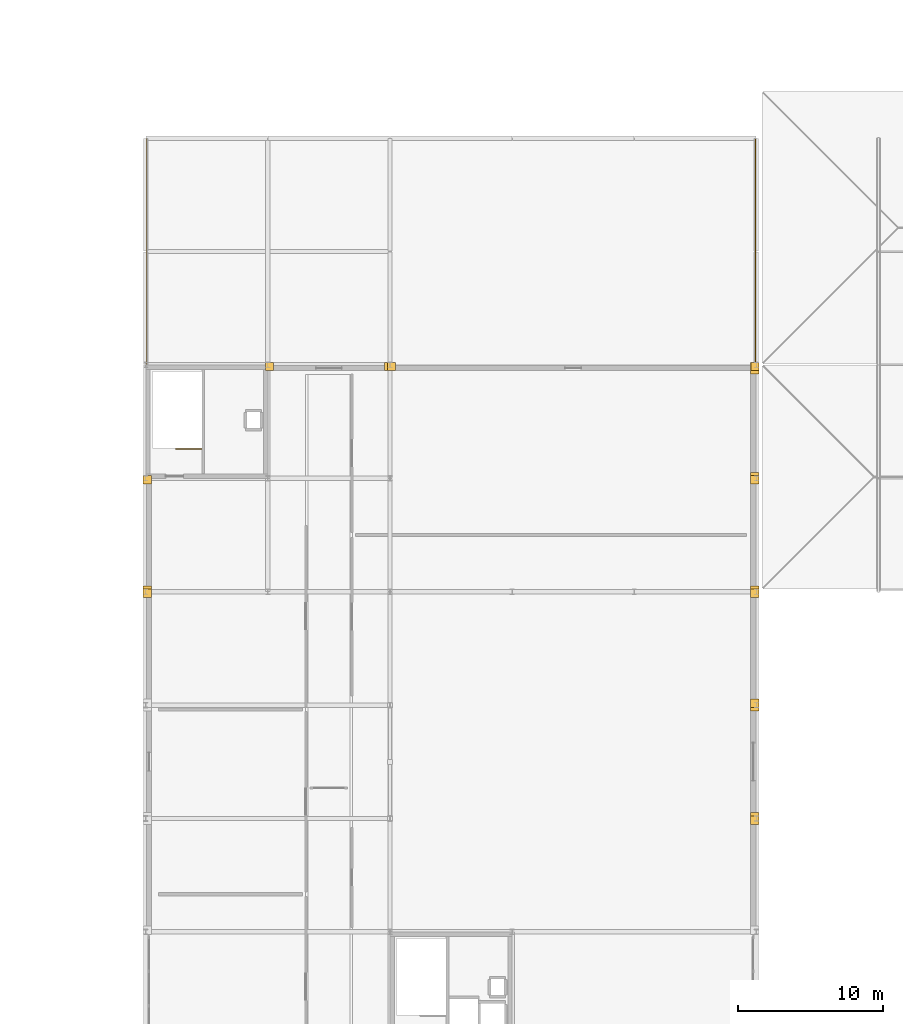
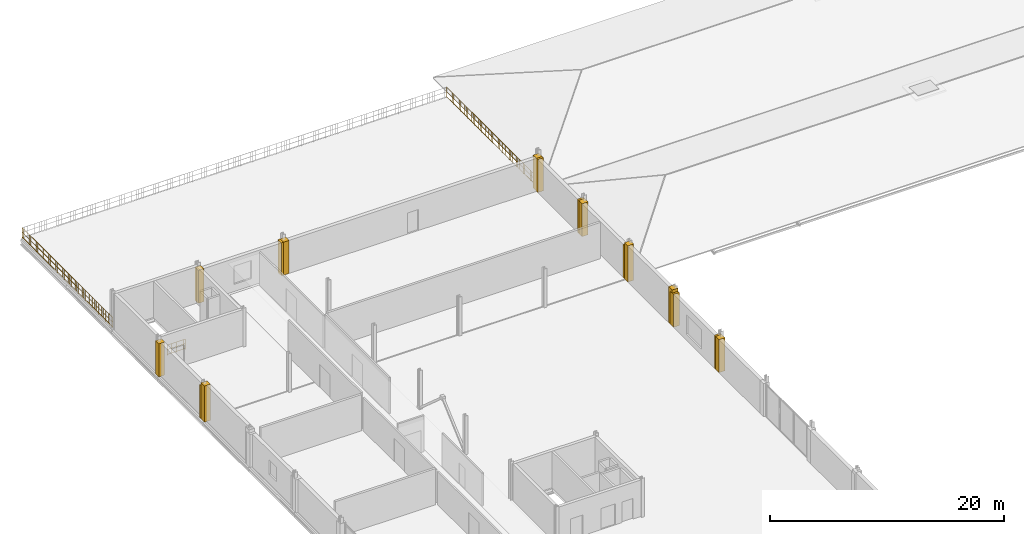
# One storey, part 71 of 77: 16 coverings, 3 railings.
"""IFC4 building model written with IfcOpenShell, lengths in metres."""

from ifc_helpers import new_model, si_unit, direction, frame, origin, origin_2d, place, context, subcontext, project, spatial, polyline, circle, outline, extrude, material, layer, layer_set, type_object, element, save


model = new_model("IFC4")

# Units and contexts
model_context = context("Model", 3, precision=1e-05, world=origin(), true_north=direction((0.0, 1.0)))
body_context = subcontext(model_context, "Body", "Model", "MODEL_VIEW")
ifc_project = project(units=[si_unit("LENGTHUNIT", "METRE"), si_unit("AREAUNIT", "SQUARE_METRE"), si_unit("VOLUMEUNIT", "CUBIC_METRE"), si_unit("PLANEANGLEUNIT", "RADIAN"), si_unit("MASSUNIT", "GRAM", prefix="KILO")], contexts=[model_context])

# Site, building, storey
site_placement = place(None, origin())
site = spatial("IfcSite", under=ifc_project, at=site_placement, CompositionType="ELEMENT")
building_placement = place(site_placement, origin())
building = spatial("IfcBuilding", under=site, at=building_placement, Name="Nabrawat Pavilion Hospital", CompositionType="ELEMENT")
storey_placement = place(building_placement, frame((0.0, 0.0, 14.85009765625)))
storey = spatial("IfcBuildingStorey", under=building, at=storey_placement, Name="L03", CompositionType="ELEMENT", Elevation=14.85009765625)

# Coverings
ifc_material_1 = material(Name="Precast concrete C40/50", Category="concrete")
ifc_layer_1 = layer(ifc_material_1, 0.360107421875, Name="Precast concrete C40/50")
ifc_layer_set_1 = layer_set([ifc_layer_1], Name="Precast concrete C40/50")
covering_type = type_object("IfcCoveringType", Name="Architectural Precast Column-Jamb Closure Reveal", PredefinedType="CLADDING", material=ifc_layer_set_1)
covering_1_placement = place(storey_placement, origin())
element("IfcCovering", 1, at=covering_1_placement, inside=storey, type_object=covering_type, Name="L03 Precast Facade Column-Jamb Weatherseal Closure 0440", PredefinedType="CLADDING", context=body_context, shape_type="SweptSolid", body=[
    extrude(outline(polyline([(17.199951171875, 85.39501953125), (17.199951171875, 85.97998046875), (16.6201171875, 85.97998046875), (16.6201171875, 85.39501953125), (17.199951171875, 85.39501953125)])), origin(), (0.0, 0.0, 1.0), 3.77001953125),
])
covering_2_placement = place(storey_placement, origin())
element("IfcCovering", 2, at=covering_2_placement, inside=storey, type_object=covering_type, Name="L03 Precast Facade Column-Jamb Weatherseal Closure 0441", PredefinedType="CLADDING", context=body_context, shape_type="SweptSolid", body=[
    extrude(outline(polyline([(17.199951171875, 85.6201171875), (17.199951171875, 86.205078125), (16.6201171875, 86.205078125), (16.6201171875, 85.6201171875), (17.199951171875, 85.6201171875)])), origin(), (0.0, 0.0, 1.0), 3.43994140625),
])
covering_3_placement = place(storey_placement, origin())
element("IfcCovering", 3, at=covering_3_placement, inside=storey, type_object=covering_type, Name="L03 Precast Facade Column-Jamb Weatherseal Closure 0442", PredefinedType="CLADDING", context=body_context, shape_type="SweptSolid", body=[
    extrude(outline(polyline([(17.199951171875, 93.195068359375), (17.199951171875, 93.780029296875), (16.6201171875, 93.780029296875), (16.6201171875, 93.195068359375), (17.199951171875, 93.195068359375)])), origin(), (0.0, 0.0, 1.0), 3.43994140625),
])
covering_4_placement = place(storey_placement, origin())
element("IfcCovering", 4, at=covering_4_placement, inside=storey, type_object=covering_type, Name="L03 Precast Facade Column-Jamb Weatherseal Closure 0450", PredefinedType="CLADDING", context=body_context, shape_type="SweptSolid", body=[
    extrude(outline(polyline([(25.580078125, 101.0), (25.580078125, 101.580078125), (25.02001953125, 101.580078125), (25.02001953125, 101.0), (25.580078125, 101.0)])), origin(), (0.0, 0.0, 1.0), 3.43994140625),
])
covering_5_placement = place(storey_placement, origin())
element("IfcCovering", 5, at=covering_5_placement, inside=storey, type_object=covering_type, Name="L03 Precast Facade Column-Jamb Weatherseal Closure 0451", PredefinedType="CLADDING", context=body_context, shape_type="SweptSolid", body=[
    extrude(outline(polyline([(33.780029296875, 101.0), (33.780029296875, 101.580078125), (33.219970703125, 101.580078125), (33.219970703125, 101.0), (33.780029296875, 101.0)])), origin(), (0.0, 0.0, 1.0), 3.43994140625),
])
covering_6_placement = place(storey_placement, origin())
element("IfcCovering", 6, at=covering_6_placement, inside=storey, type_object=covering_type, Name="L03 Precast Facade Column-Jamb Weatherseal Closure 0452", PredefinedType="CLADDING", context=body_context, shape_type="SweptSolid", body=[
    extrude(outline(polyline([(33.97998046875, 101.0), (33.97998046875, 101.580078125), (33.419921875, 101.580078125), (33.419921875, 101.0), (33.97998046875, 101.0)])), origin(), (0.0, 0.0, 1.0), 3.43994140625),
])
covering_7_placement = place(storey_placement, origin())
element("IfcCovering", 7, at=covering_7_placement, inside=storey, type_object=covering_type, Name="L03 Precast Facade Column-Jamb Weatherseal Closure 0453", PredefinedType="CLADDING", context=body_context, shape_type="SweptSolid", body=[
    extrude(outline(polyline([(58.97998046875, 101.0), (58.97998046875, 101.580078125), (58.419921875, 101.580078125), (58.419921875, 101.0), (58.97998046875, 101.0)])), origin(), (0.0, 0.0, 1.0), 3.43994140625),
])
covering_8_placement = place(storey_placement, origin())
element("IfcCovering", 8, at=covering_8_placement, inside=storey, type_object=covering_type, Name="L03 Precast Facade Column-Jamb Weatherseal Closure 0458", PredefinedType="CLADDING", context=body_context, shape_type="SweptSolid", body=[
    extrude(outline(polyline([(58.97998046875, 69.794921875), (58.97998046875, 70.3798828125), (58.39990234375, 70.3798828125), (58.39990234375, 69.794921875), (58.97998046875, 69.794921875)])), origin(), (0.0, 0.0, 1.0), 3.43994140625),
])
covering_9_placement = place(storey_placement, origin())
element("IfcCovering", 9, at=covering_9_placement, inside=storey, type_object=covering_type, Name="L03 Precast Facade Column-Jamb Weatherseal Closure 0459", PredefinedType="CLADDING", context=body_context, shape_type="SweptSolid", body=[
    extrude(outline(polyline([(58.97998046875, 70.02001953125), (58.97998046875, 70.60498046875), (58.39990234375, 70.60498046875), (58.39990234375, 70.02001953125), (58.97998046875, 70.02001953125)])), origin(), (0.0, 0.0, 1.0), 3.43994140625),
])
covering_10_placement = place(storey_placement, origin())
element("IfcCovering", 10, at=covering_10_placement, inside=storey, type_object=covering_type, Name="L03 Precast Facade Column-Jamb Weatherseal Closure 0460", PredefinedType="CLADDING", context=body_context, shape_type="SweptSolid", body=[
    extrude(outline(polyline([(58.97998046875, 77.594970703125), (58.97998046875, 78.179931640625), (58.39990234375, 78.179931640625), (58.39990234375, 77.594970703125), (58.97998046875, 77.594970703125)])), origin(), (0.0, 0.0, 1.0), 3.43994140625),
])
covering_11_placement = place(storey_placement, origin())
element("IfcCovering", 11, at=covering_11_placement, inside=storey, type_object=covering_type, Name="L03 Precast Facade Column-Jamb Weatherseal Closure 0461", PredefinedType="CLADDING", context=body_context, shape_type="SweptSolid", body=[
    extrude(outline(polyline([(58.97998046875, 77.820068359375), (58.97998046875, 78.405029296875), (58.39990234375, 78.405029296875), (58.39990234375, 77.820068359375), (58.97998046875, 77.820068359375)])), origin(), (0.0, 0.0, 1.0), 3.77001953125),
])
covering_12_placement = place(storey_placement, origin())
element("IfcCovering", 12, at=covering_12_placement, inside=storey, type_object=covering_type, Name="L03 Precast Facade Column-Jamb Weatherseal Closure 0462", PredefinedType="CLADDING", context=body_context, shape_type="SweptSolid", body=[
    extrude(outline(polyline([(58.97998046875, 85.39501953125), (58.97998046875, 85.97998046875), (58.39990234375, 85.97998046875), (58.39990234375, 85.39501953125), (58.97998046875, 85.39501953125)])), origin(), (0.0, 0.0, 1.0), 3.77001953125),
])
covering_13_placement = place(storey_placement, origin())
element("IfcCovering", 13, at=covering_13_placement, inside=storey, type_object=covering_type, Name="L03 Precast Facade Column-Jamb Weatherseal Closure 0463", PredefinedType="CLADDING", context=body_context, shape_type="SweptSolid", body=[
    extrude(outline(polyline([(58.97998046875, 85.6201171875), (58.97998046875, 86.205078125), (58.39990234375, 86.205078125), (58.39990234375, 85.6201171875), (58.97998046875, 85.6201171875)])), origin(), (0.0, 0.0, 1.0), 3.43994140625),
])
covering_14_placement = place(storey_placement, origin())
element("IfcCovering", 14, at=covering_14_placement, inside=storey, type_object=covering_type, Name="L03 Precast Facade Column-Jamb Weatherseal Closure 0464", PredefinedType="CLADDING", context=body_context, shape_type="SweptSolid", body=[
    extrude(outline(polyline([(58.97998046875, 93.195068359375), (58.97998046875, 93.780029296875), (58.39990234375, 93.780029296875), (58.39990234375, 93.195068359375), (58.97998046875, 93.195068359375)])), origin(), (0.0, 0.0, 1.0), 3.43994140625),
])
covering_15_placement = place(storey_placement, origin())
element("IfcCovering", 15, at=covering_15_placement, inside=storey, type_object=covering_type, Name="L03 Precast Facade Column-Jamb Weatherseal Closure 0465", PredefinedType="CLADDING", context=body_context, shape_type="SweptSolid", body=[
    extrude(outline(polyline([(58.97998046875, 93.419921875), (58.97998046875, 94.0048828125), (58.39990234375, 94.0048828125), (58.39990234375, 93.419921875), (58.97998046875, 93.419921875)])), origin(), (0.0, 0.0, 1.0), 3.43994140625),
])
covering_16_placement = place(storey_placement, origin())
element("IfcCovering", 16, at=covering_16_placement, inside=storey, type_object=covering_type, Name="L03 Precast Facade Column-Jamb Weatherseal Closure 0466", PredefinedType="CLADDING", context=body_context, shape_type="SweptSolid", body=[
    extrude(outline(polyline([(58.97998046875, 100.780029296875), (58.97998046875, 101.580078125), (58.39990234375, 101.580078125), (58.39990234375, 100.780029296875), (58.97998046875, 100.780029296875)])), origin(), (0.0, 0.0, 1.0), 3.43994140625),
])

# Railings
ifc_material_2 = material(Name="Stainless Steel 316", Category="steel")
ifc_layer_2 = layer(ifc_material_2, 0.070068359375, Name="Stainless Steel 316")
ifc_layer_set_2 = layer_set([ifc_layer_2], Name="Stainless Steel 316")
railing_type_1 = type_object("IfcRailingType", Name="Exterior Clinical Terrace Safety Guardrail 1100", PredefinedType="GUARDRAIL", material=ifc_layer_set_2)
railing_1_placement = place(storey_placement, frame((16.860107421875, 101.4599609375, 0.0)))
element("IfcRailing", 17, at=railing_1_placement, inside=storey, type_object=railing_type_1, Name="L03 Terrace Edge Safety Guardrail T_L03_V3_NORTH West", PredefinedType="GUARDRAIL", context=body_context, shape_type="SweptSolid", body=[
    extrude(circle(Radius=0.02392578125, at=origin_2d()), frame((0.0, 0.0, 1.076171875), z_axis=(0.0, 1.0, 0.0), x_axis=(-1.0, 0.0, 0.0)), (0.0, 0.0, 1.0), 15.47998046875),
    extrude(circle(Radius=0.02392578125, at=origin_2d()), frame((0.0, 0.0, 0.10009765625), z_axis=(0.0, 1.0, 0.0), x_axis=(-1.0, 0.0, 0.0)), (0.0, 0.0, 1.0), 15.47998046875),
    extrude(circle(Radius=0.02392578125, at=origin_2d()), frame((0.0, 0.0, 0.60498046875), z_axis=(0.0, 1.0, 0.0), x_axis=(-1.0, 0.0, 0.0)), (0.0, 0.0, 1.0), 15.47998046875),
    extrude(circle(Radius=0.008056640625, at=origin_2d()), frame((0.0, 0.238037109375, 0.10009765625)), (0.0, 0.0, 1.0), 0.951904296875),
    extrude(circle(Radius=0.008056640625, at=origin_2d()), frame((0.0, 0.476318359375, 0.10009765625)), (0.0, 0.0, 1.0), 0.951904296875),
    extrude(circle(Radius=0.008056640625, at=origin_2d()), frame((0.0, 0.71435546875, 0.10009765625)), (0.0, 0.0, 1.0), 0.951904296875),
    extrude(circle(Radius=0.008056640625, at=origin_2d()), frame((0.0, 0.95263671875, 0.10009765625)), (0.0, 0.0, 1.0), 0.951904296875),
    extrude(circle(Radius=0.008056640625, at=origin_2d()), frame((0.0, 1.428955078125, 0.10009765625)), (0.0, 0.0, 1.0), 0.951904296875),
    extrude(circle(Radius=0.008056640625, at=origin_2d()), frame((0.0, 1.6669921875, 0.10009765625)), (0.0, 0.0, 1.0), 0.951904296875),
    extrude(circle(Radius=0.008056640625, at=origin_2d()), frame((0.0, 1.9052734375, 0.10009765625)), (0.0, 0.0, 1.0), 0.951904296875),
    extrude(circle(Radius=0.008056640625, at=origin_2d()), frame((0.0, 2.143310546875, 0.10009765625)), (0.0, 0.0, 1.0), 0.951904296875),
    extrude(circle(Radius=0.008056640625, at=origin_2d()), frame((0.0, 2.61962890625, 0.10009765625)), (0.0, 0.0, 1.0), 0.951904296875),
    extrude(circle(Radius=0.008056640625, at=origin_2d()), frame((0.0, 2.85791015625, 0.10009765625)), (0.0, 0.0, 1.0), 0.951904296875),
    extrude(circle(Radius=0.008056640625, at=origin_2d()), frame((0.0, 3.095947265625, 0.10009765625)), (0.0, 0.0, 1.0), 0.951904296875),
    extrude(circle(Radius=0.008056640625, at=origin_2d()), frame((0.0, 3.334228515625, 0.10009765625)), (0.0, 0.0, 1.0), 0.951904296875),
    extrude(circle(Radius=0.008056640625, at=origin_2d()), frame((0.0, 3.810546875, 0.10009765625)), (0.0, 0.0, 1.0), 0.951904296875),
    extrude(circle(Radius=0.008056640625, at=origin_2d()), frame((0.0, 4.048583984375, 0.10009765625)), (0.0, 0.0, 1.0), 0.951904296875),
    extrude(circle(Radius=0.008056640625, at=origin_2d()), frame((0.0, 4.286865234375, 0.10009765625)), (0.0, 0.0, 1.0), 0.951904296875),
    extrude(circle(Radius=0.008056640625, at=origin_2d()), frame((0.0, 4.52490234375, 0.10009765625)), (0.0, 0.0, 1.0), 0.951904296875),
    extrude(circle(Radius=0.008056640625, at=origin_2d()), frame((0.0, 5.001220703125, 0.10009765625)), (0.0, 0.0, 1.0), 0.951904296875),
    extrude(circle(Radius=0.008056640625, at=origin_2d()), frame((0.0, 5.2392578125, 0.10009765625)), (0.0, 0.0, 1.0), 0.951904296875),
    extrude(circle(Radius=0.008056640625, at=origin_2d()), frame((0.0, 5.4775390625, 0.10009765625)), (0.0, 0.0, 1.0), 0.951904296875),
    extrude(circle(Radius=0.008056640625, at=origin_2d()), frame((0.0, 5.715576171875, 0.10009765625)), (0.0, 0.0, 1.0), 0.951904296875),
    extrude(circle(Radius=0.008056640625, at=origin_2d()), frame((0.0, 6.19189453125, 0.10009765625)), (0.0, 0.0, 1.0), 0.951904296875),
    extrude(circle(Radius=0.008056640625, at=origin_2d()), frame((0.0, 6.43017578125, 0.10009765625)), (0.0, 0.0, 1.0), 0.951904296875),
    extrude(circle(Radius=0.008056640625, at=origin_2d()), frame((0.0, 6.668212890625, 0.10009765625)), (0.0, 0.0, 1.0), 0.951904296875),
    extrude(circle(Radius=0.008056640625, at=origin_2d()), frame((0.0, 6.906494140625, 0.10009765625)), (0.0, 0.0, 1.0), 0.951904296875),
    extrude(circle(Radius=0.008056640625, at=origin_2d()), frame((0.0, 7.3828125, 0.10009765625)), (0.0, 0.0, 1.0), 0.951904296875),
    extrude(circle(Radius=0.008056640625, at=origin_2d()), frame((0.0, 7.620849609375, 0.10009765625)), (0.0, 0.0, 1.0), 0.951904296875),
    extrude(circle(Radius=0.008056640625, at=origin_2d()), frame((0.0, 7.859130859375, 0.10009765625)), (0.0, 0.0, 1.0), 0.951904296875),
    extrude(circle(Radius=0.008056640625, at=origin_2d()), frame((0.0, 8.09716796875, 0.10009765625)), (0.0, 0.0, 1.0), 0.951904296875),
    extrude(circle(Radius=0.008056640625, at=origin_2d()), frame((0.0, 8.573486328125, 0.10009765625)), (0.0, 0.0, 1.0), 0.951904296875),
    extrude(circle(Radius=0.008056640625, at=origin_2d()), frame((0.0, 8.811767578125, 0.10009765625)), (0.0, 0.0, 1.0), 0.951904296875),
    extrude(circle(Radius=0.008056640625, at=origin_2d()), frame((0.0, 9.0498046875, 0.10009765625)), (0.0, 0.0, 1.0), 0.951904296875),
    extrude(circle(Radius=0.008056640625, at=origin_2d()), frame((0.0, 9.2880859375, 0.10009765625)), (0.0, 0.0, 1.0), 0.951904296875),
    extrude(circle(Radius=0.008056640625, at=origin_2d()), frame((0.0, 9.764404296875, 0.10009765625)), (0.0, 0.0, 1.0), 0.951904296875),
    extrude(circle(Radius=0.008056640625, at=origin_2d()), frame((0.0, 10.00244140625, 0.10009765625)), (0.0, 0.0, 1.0), 0.951904296875),
    extrude(circle(Radius=0.008056640625, at=origin_2d()), frame((0.0, 10.24072265625, 0.10009765625)), (0.0, 0.0, 1.0), 0.951904296875),
    extrude(circle(Radius=0.008056640625, at=origin_2d()), frame((0.0, 10.478759765625, 0.10009765625)), (0.0, 0.0, 1.0), 0.951904296875),
    extrude(circle(Radius=0.008056640625, at=origin_2d()), frame((0.0, 10.955078125, 0.10009765625)), (0.0, 0.0, 1.0), 0.951904296875),
    extrude(circle(Radius=0.008056640625, at=origin_2d()), frame((0.0, 11.193115234375, 0.10009765625)), (0.0, 0.0, 1.0), 0.951904296875),
    extrude(circle(Radius=0.008056640625, at=origin_2d()), frame((0.0, 11.431396484375, 0.10009765625)), (0.0, 0.0, 1.0), 0.951904296875),
    extrude(circle(Radius=0.008056640625, at=origin_2d()), frame((0.0, 11.66943359375, 0.10009765625)), (0.0, 0.0, 1.0), 0.951904296875),
    extrude(circle(Radius=0.008056640625, at=origin_2d()), frame((0.0, 12.145751953125, 0.10009765625)), (0.0, 0.0, 1.0), 0.951904296875),
    extrude(circle(Radius=0.008056640625, at=origin_2d()), frame((0.0, 12.384033203125, 0.10009765625)), (0.0, 0.0, 1.0), 0.951904296875),
    extrude(circle(Radius=0.008056640625, at=origin_2d()), frame((0.0, 12.6220703125, 0.10009765625)), (0.0, 0.0, 1.0), 0.951904296875),
    extrude(circle(Radius=0.008056640625, at=origin_2d()), frame((0.0, 12.8603515625, 0.10009765625)), (0.0, 0.0, 1.0), 0.951904296875),
    extrude(circle(Radius=0.008056640625, at=origin_2d()), frame((0.0, 13.336669921875, 0.10009765625)), (0.0, 0.0, 1.0), 0.951904296875),
    extrude(circle(Radius=0.008056640625, at=origin_2d()), frame((0.0, 13.57470703125, 0.10009765625)), (0.0, 0.0, 1.0), 0.951904296875),
    extrude(circle(Radius=0.008056640625, at=origin_2d()), frame((0.0, 13.81298828125, 0.10009765625)), (0.0, 0.0, 1.0), 0.951904296875),
    extrude(circle(Radius=0.008056640625, at=origin_2d()), frame((0.0, 14.051025390625, 0.10009765625)), (0.0, 0.0, 1.0), 0.951904296875),
    extrude(circle(Radius=0.008056640625, at=origin_2d()), frame((0.0, 14.52734375, 0.10009765625)), (0.0, 0.0, 1.0), 0.951904296875),
    extrude(circle(Radius=0.008056640625, at=origin_2d()), frame((0.0, 14.765625, 0.10009765625)), (0.0, 0.0, 1.0), 0.951904296875),
    extrude(circle(Radius=0.008056640625, at=origin_2d()), frame((0.0, 15.003662109375, 0.10009765625)), (0.0, 0.0, 1.0), 0.951904296875),
    extrude(circle(Radius=0.008056640625, at=origin_2d()), frame((0.0, 15.241943359375, 0.10009765625)), (0.0, 0.0, 1.0), 0.951904296875),
    extrude(circle(Radius=0.02099609375, at=origin_2d()), origin(), (0.0, 0.0, 1.0), 1.052001953125),
    extrude(circle(Radius=0.02099609375, at=origin_2d()), frame((0.0, 1.190673828125, 0.0)), (0.0, 0.0, 1.0), 1.052001953125),
    extrude(circle(Radius=0.02099609375, at=origin_2d()), frame((0.0, 2.381591796875, 0.0)), (0.0, 0.0, 1.0), 1.052001953125),
    extrude(circle(Radius=0.02099609375, at=origin_2d()), frame((0.0, 3.572265625, 0.0)), (0.0, 0.0, 1.0), 1.052001953125),
    extrude(circle(Radius=0.02099609375, at=origin_2d()), frame((0.0, 4.76318359375, 0.0)), (0.0, 0.0, 1.0), 1.052001953125),
    extrude(circle(Radius=0.02099609375, at=origin_2d()), frame((0.0, 5.953857421875, 0.0)), (0.0, 0.0, 1.0), 1.052001953125),
    extrude(circle(Radius=0.02099609375, at=origin_2d()), frame((0.0, 7.14453125, 0.0)), (0.0, 0.0, 1.0), 1.052001953125),
    extrude(circle(Radius=0.02099609375, at=origin_2d()), frame((0.0, 8.33544921875, 0.0)), (0.0, 0.0, 1.0), 1.052001953125),
    extrude(circle(Radius=0.02099609375, at=origin_2d()), frame((0.0, 9.526123046875, 0.0)), (0.0, 0.0, 1.0), 1.052001953125),
    extrude(circle(Radius=0.02099609375, at=origin_2d()), frame((0.0, 10.716796875, 0.0)), (0.0, 0.0, 1.0), 1.052001953125),
    extrude(circle(Radius=0.02099609375, at=origin_2d()), frame((0.0, 11.90771484375, 0.0)), (0.0, 0.0, 1.0), 1.052001953125),
    extrude(circle(Radius=0.02099609375, at=origin_2d()), frame((0.0, 13.098388671875, 0.0)), (0.0, 0.0, 1.0), 1.052001953125),
    extrude(circle(Radius=0.02099609375, at=origin_2d()), frame((0.0, 14.289306640625, 0.0)), (0.0, 0.0, 1.0), 1.052001953125),
    extrude(circle(Radius=0.02099609375, at=origin_2d()), frame((0.0, 15.47998046875, 0.0)), (0.0, 0.0, 1.0), 1.052001953125),
])
railing_2_placement = place(storey_placement, frame((58.739990234375, 101.4599609375, 0.0)))
element("IfcRailing", 18, at=railing_2_placement, inside=storey, type_object=railing_type_1, Name="L03 Terrace Edge Safety Guardrail T_L03_V3_NORTH East", PredefinedType="GUARDRAIL", context=body_context, shape_type="SweptSolid", body=[
    extrude(circle(Radius=0.02392578125, at=origin_2d()), frame((0.0, 0.0, 1.076171875), z_axis=(0.0, 1.0, 0.0), x_axis=(-1.0, 0.0, 0.0)), (0.0, 0.0, 1.0), 15.47998046875),
    extrude(circle(Radius=0.02392578125, at=origin_2d()), frame((0.0, 0.0, 0.10009765625), z_axis=(0.0, 1.0, 0.0), x_axis=(-1.0, 0.0, 0.0)), (0.0, 0.0, 1.0), 15.47998046875),
    extrude(circle(Radius=0.02392578125, at=origin_2d()), frame((0.0, 0.0, 0.60498046875), z_axis=(0.0, 1.0, 0.0), x_axis=(-1.0, 0.0, 0.0)), (0.0, 0.0, 1.0), 15.47998046875),
    extrude(circle(Radius=0.008056640625, at=origin_2d()), frame((0.0, 0.238037109375, 0.10009765625)), (0.0, 0.0, 1.0), 0.951904296875),
    extrude(circle(Radius=0.008056640625, at=origin_2d()), frame((0.0, 0.476318359375, 0.10009765625)), (0.0, 0.0, 1.0), 0.951904296875),
    extrude(circle(Radius=0.008056640625, at=origin_2d()), frame((0.0, 0.71435546875, 0.10009765625)), (0.0, 0.0, 1.0), 0.951904296875),
    extrude(circle(Radius=0.008056640625, at=origin_2d()), frame((0.0, 0.95263671875, 0.10009765625)), (0.0, 0.0, 1.0), 0.951904296875),
    extrude(circle(Radius=0.008056640625, at=origin_2d()), frame((0.0, 1.428955078125, 0.10009765625)), (0.0, 0.0, 1.0), 0.951904296875),
    extrude(circle(Radius=0.008056640625, at=origin_2d()), frame((0.0, 1.6669921875, 0.10009765625)), (0.0, 0.0, 1.0), 0.951904296875),
    extrude(circle(Radius=0.008056640625, at=origin_2d()), frame((0.0, 1.9052734375, 0.10009765625)), (0.0, 0.0, 1.0), 0.951904296875),
    extrude(circle(Radius=0.008056640625, at=origin_2d()), frame((0.0, 2.143310546875, 0.10009765625)), (0.0, 0.0, 1.0), 0.951904296875),
    extrude(circle(Radius=0.008056640625, at=origin_2d()), frame((0.0, 2.61962890625, 0.10009765625)), (0.0, 0.0, 1.0), 0.951904296875),
    extrude(circle(Radius=0.008056640625, at=origin_2d()), frame((0.0, 2.85791015625, 0.10009765625)), (0.0, 0.0, 1.0), 0.951904296875),
    extrude(circle(Radius=0.008056640625, at=origin_2d()), frame((0.0, 3.095947265625, 0.10009765625)), (0.0, 0.0, 1.0), 0.951904296875),
    extrude(circle(Radius=0.008056640625, at=origin_2d()), frame((0.0, 3.334228515625, 0.10009765625)), (0.0, 0.0, 1.0), 0.951904296875),
    extrude(circle(Radius=0.008056640625, at=origin_2d()), frame((0.0, 3.810546875, 0.10009765625)), (0.0, 0.0, 1.0), 0.951904296875),
    extrude(circle(Radius=0.008056640625, at=origin_2d()), frame((0.0, 4.048583984375, 0.10009765625)), (0.0, 0.0, 1.0), 0.951904296875),
    extrude(circle(Radius=0.008056640625, at=origin_2d()), frame((0.0, 4.286865234375, 0.10009765625)), (0.0, 0.0, 1.0), 0.951904296875),
    extrude(circle(Radius=0.008056640625, at=origin_2d()), frame((0.0, 4.52490234375, 0.10009765625)), (0.0, 0.0, 1.0), 0.951904296875),
    extrude(circle(Radius=0.008056640625, at=origin_2d()), frame((0.0, 5.001220703125, 0.10009765625)), (0.0, 0.0, 1.0), 0.951904296875),
    extrude(circle(Radius=0.008056640625, at=origin_2d()), frame((0.0, 5.2392578125, 0.10009765625)), (0.0, 0.0, 1.0), 0.951904296875),
    extrude(circle(Radius=0.008056640625, at=origin_2d()), frame((0.0, 5.4775390625, 0.10009765625)), (0.0, 0.0, 1.0), 0.951904296875),
    extrude(circle(Radius=0.008056640625, at=origin_2d()), frame((0.0, 5.715576171875, 0.10009765625)), (0.0, 0.0, 1.0), 0.951904296875),
    extrude(circle(Radius=0.008056640625, at=origin_2d()), frame((0.0, 6.19189453125, 0.10009765625)), (0.0, 0.0, 1.0), 0.951904296875),
    extrude(circle(Radius=0.008056640625, at=origin_2d()), frame((0.0, 6.43017578125, 0.10009765625)), (0.0, 0.0, 1.0), 0.951904296875),
    extrude(circle(Radius=0.008056640625, at=origin_2d()), frame((0.0, 6.668212890625, 0.10009765625)), (0.0, 0.0, 1.0), 0.951904296875),
    extrude(circle(Radius=0.008056640625, at=origin_2d()), frame((0.0, 6.906494140625, 0.10009765625)), (0.0, 0.0, 1.0), 0.951904296875),
    extrude(circle(Radius=0.008056640625, at=origin_2d()), frame((0.0, 7.3828125, 0.10009765625)), (0.0, 0.0, 1.0), 0.951904296875),
    extrude(circle(Radius=0.008056640625, at=origin_2d()), frame((0.0, 7.620849609375, 0.10009765625)), (0.0, 0.0, 1.0), 0.951904296875),
    extrude(circle(Radius=0.008056640625, at=origin_2d()), frame((0.0, 7.859130859375, 0.10009765625)), (0.0, 0.0, 1.0), 0.951904296875),
    extrude(circle(Radius=0.008056640625, at=origin_2d()), frame((0.0, 8.09716796875, 0.10009765625)), (0.0, 0.0, 1.0), 0.951904296875),
    extrude(circle(Radius=0.008056640625, at=origin_2d()), frame((0.0, 8.573486328125, 0.10009765625)), (0.0, 0.0, 1.0), 0.951904296875),
    extrude(circle(Radius=0.008056640625, at=origin_2d()), frame((0.0, 8.811767578125, 0.10009765625)), (0.0, 0.0, 1.0), 0.951904296875),
    extrude(circle(Radius=0.008056640625, at=origin_2d()), frame((0.0, 9.0498046875, 0.10009765625)), (0.0, 0.0, 1.0), 0.951904296875),
    extrude(circle(Radius=0.008056640625, at=origin_2d()), frame((0.0, 9.2880859375, 0.10009765625)), (0.0, 0.0, 1.0), 0.951904296875),
    extrude(circle(Radius=0.008056640625, at=origin_2d()), frame((0.0, 9.764404296875, 0.10009765625)), (0.0, 0.0, 1.0), 0.951904296875),
    extrude(circle(Radius=0.008056640625, at=origin_2d()), frame((0.0, 10.00244140625, 0.10009765625)), (0.0, 0.0, 1.0), 0.951904296875),
    extrude(circle(Radius=0.008056640625, at=origin_2d()), frame((0.0, 10.24072265625, 0.10009765625)), (0.0, 0.0, 1.0), 0.951904296875),
    extrude(circle(Radius=0.008056640625, at=origin_2d()), frame((0.0, 10.478759765625, 0.10009765625)), (0.0, 0.0, 1.0), 0.951904296875),
    extrude(circle(Radius=0.008056640625, at=origin_2d()), frame((0.0, 10.955078125, 0.10009765625)), (0.0, 0.0, 1.0), 0.951904296875),
    extrude(circle(Radius=0.008056640625, at=origin_2d()), frame((0.0, 11.193115234375, 0.10009765625)), (0.0, 0.0, 1.0), 0.951904296875),
    extrude(circle(Radius=0.008056640625, at=origin_2d()), frame((0.0, 11.431396484375, 0.10009765625)), (0.0, 0.0, 1.0), 0.951904296875),
    extrude(circle(Radius=0.008056640625, at=origin_2d()), frame((0.0, 11.66943359375, 0.10009765625)), (0.0, 0.0, 1.0), 0.951904296875),
    extrude(circle(Radius=0.008056640625, at=origin_2d()), frame((0.0, 12.145751953125, 0.10009765625)), (0.0, 0.0, 1.0), 0.951904296875),
    extrude(circle(Radius=0.008056640625, at=origin_2d()), frame((0.0, 12.384033203125, 0.10009765625)), (0.0, 0.0, 1.0), 0.951904296875),
    extrude(circle(Radius=0.008056640625, at=origin_2d()), frame((0.0, 12.6220703125, 0.10009765625)), (0.0, 0.0, 1.0), 0.951904296875),
    extrude(circle(Radius=0.008056640625, at=origin_2d()), frame((0.0, 12.8603515625, 0.10009765625)), (0.0, 0.0, 1.0), 0.951904296875),
    extrude(circle(Radius=0.008056640625, at=origin_2d()), frame((0.0, 13.336669921875, 0.10009765625)), (0.0, 0.0, 1.0), 0.951904296875),
    extrude(circle(Radius=0.008056640625, at=origin_2d()), frame((0.0, 13.57470703125, 0.10009765625)), (0.0, 0.0, 1.0), 0.951904296875),
    extrude(circle(Radius=0.008056640625, at=origin_2d()), frame((0.0, 13.81298828125, 0.10009765625)), (0.0, 0.0, 1.0), 0.951904296875),
    extrude(circle(Radius=0.008056640625, at=origin_2d()), frame((0.0, 14.051025390625, 0.10009765625)), (0.0, 0.0, 1.0), 0.951904296875),
    extrude(circle(Radius=0.008056640625, at=origin_2d()), frame((0.0, 14.52734375, 0.10009765625)), (0.0, 0.0, 1.0), 0.951904296875),
    extrude(circle(Radius=0.008056640625, at=origin_2d()), frame((0.0, 14.765625, 0.10009765625)), (0.0, 0.0, 1.0), 0.951904296875),
    extrude(circle(Radius=0.008056640625, at=origin_2d()), frame((0.0, 15.003662109375, 0.10009765625)), (0.0, 0.0, 1.0), 0.951904296875),
    extrude(circle(Radius=0.008056640625, at=origin_2d()), frame((0.0, 15.241943359375, 0.10009765625)), (0.0, 0.0, 1.0), 0.951904296875),
    extrude(circle(Radius=0.02099609375, at=origin_2d()), origin(), (0.0, 0.0, 1.0), 1.052001953125),
    extrude(circle(Radius=0.02099609375, at=origin_2d()), frame((0.0, 1.190673828125, 0.0)), (0.0, 0.0, 1.0), 1.052001953125),
    extrude(circle(Radius=0.02099609375, at=origin_2d()), frame((0.0, 2.381591796875, 0.0)), (0.0, 0.0, 1.0), 1.052001953125),
    extrude(circle(Radius=0.02099609375, at=origin_2d()), frame((0.0, 3.572265625, 0.0)), (0.0, 0.0, 1.0), 1.052001953125),
    extrude(circle(Radius=0.02099609375, at=origin_2d()), frame((0.0, 4.76318359375, 0.0)), (0.0, 0.0, 1.0), 1.052001953125),
    extrude(circle(Radius=0.02099609375, at=origin_2d()), frame((0.0, 5.953857421875, 0.0)), (0.0, 0.0, 1.0), 1.052001953125),
    extrude(circle(Radius=0.02099609375, at=origin_2d()), frame((0.0, 7.14453125, 0.0)), (0.0, 0.0, 1.0), 1.052001953125),
    extrude(circle(Radius=0.02099609375, at=origin_2d()), frame((0.0, 8.33544921875, 0.0)), (0.0, 0.0, 1.0), 1.052001953125),
    extrude(circle(Radius=0.02099609375, at=origin_2d()), frame((0.0, 9.526123046875, 0.0)), (0.0, 0.0, 1.0), 1.052001953125),
    extrude(circle(Radius=0.02099609375, at=origin_2d()), frame((0.0, 10.716796875, 0.0)), (0.0, 0.0, 1.0), 1.052001953125),
    extrude(circle(Radius=0.02099609375, at=origin_2d()), frame((0.0, 11.90771484375, 0.0)), (0.0, 0.0, 1.0), 1.052001953125),
    extrude(circle(Radius=0.02099609375, at=origin_2d()), frame((0.0, 13.098388671875, 0.0)), (0.0, 0.0, 1.0), 1.052001953125),
    extrude(circle(Radius=0.02099609375, at=origin_2d()), frame((0.0, 14.289306640625, 0.0)), (0.0, 0.0, 1.0), 1.052001953125),
    extrude(circle(Radius=0.02099609375, at=origin_2d()), frame((0.0, 15.47998046875, 0.0)), (0.0, 0.0, 1.0), 1.052001953125),
])
ifc_layer_3 = layer(ifc_material_2, 0.050048828125, Name="Stainless Steel 316")
ifc_layer_set_3 = layer_set([ifc_layer_3], Name="Stainless Steel 316")
railing_type_2 = type_object("IfcRailingType", Name="Stair Open-Well Safety Guardrail 1100", PredefinedType="GUARDRAIL", material=ifc_layer_set_3)
railing_3_placement = place(storey_placement, frame((20.64990234375, 95.6201171875, 0.0)))
element("IfcRailing", 19, at=railing_3_placement, inside=storey, type_object=railing_type_2, Name="L03 ST-07 top well guard 1", PredefinedType="GUARDRAIL", context=body_context, shape_type="SweptSolid", body=[
    extrude(circle(Radius=0.02392578125, at=origin_2d()), frame((0.0, 0.0, 1.076171875), z_axis=(-1.0, 0.0, 0.0), x_axis=(0.0, -1.0, 0.0)), (0.0, 0.0, 1.0), 1.7998046875),
    extrude(circle(Radius=0.02392578125, at=origin_2d()), frame((0.0, 0.0, 0.10009765625), z_axis=(-1.0, 0.0, 0.0), x_axis=(0.0, -1.0, 0.0)), (0.0, 0.0, 1.0), 1.7998046875),
    extrude(circle(Radius=0.02392578125, at=origin_2d()), frame((0.0, 0.0, 0.60498046875), z_axis=(-1.0, 0.0, 0.0), x_axis=(0.0, -1.0, 0.0)), (0.0, 0.0, 1.0), 1.7998046875),
    extrude(circle(Radius=0.008056640625, at=origin_2d()), frame((-0.22509765625, 0.0, 0.10009765625)), (0.0, 0.0, 1.0), 0.951904296875),
    extrude(circle(Radius=0.008056640625, at=origin_2d()), frame((-0.449951171875, 0.0, 0.10009765625)), (0.0, 0.0, 1.0), 0.951904296875),
    extrude(circle(Radius=0.008056640625, at=origin_2d()), frame((-0.6748046875, 0.0, 0.10009765625)), (0.0, 0.0, 1.0), 0.951904296875),
    extrude(circle(Radius=0.008056640625, at=origin_2d()), frame((-1.125, 0.0, 0.10009765625)), (0.0, 0.0, 1.0), 0.951904296875),
    extrude(circle(Radius=0.008056640625, at=origin_2d()), frame((-1.349853515625, 0.0, 0.10009765625)), (0.0, 0.0, 1.0), 0.951904296875),
    extrude(circle(Radius=0.008056640625, at=origin_2d()), frame((-1.57470703125, 0.0, 0.10009765625)), (0.0, 0.0, 1.0), 0.951904296875),
    extrude(circle(Radius=0.02099609375, at=origin_2d()), origin(), (0.0, 0.0, 1.0), 1.052001953125),
    extrude(circle(Radius=0.02099609375, at=origin_2d()), frame((-0.89990234375, 0.0, 0.0)), (0.0, 0.0, 1.0), 1.052001953125),
    extrude(circle(Radius=0.02099609375, at=origin_2d()), frame((-1.7998046875, 0.0, 0.0)), (0.0, 0.0, 1.0), 1.052001953125),
])

save(model, "model.ifc")
